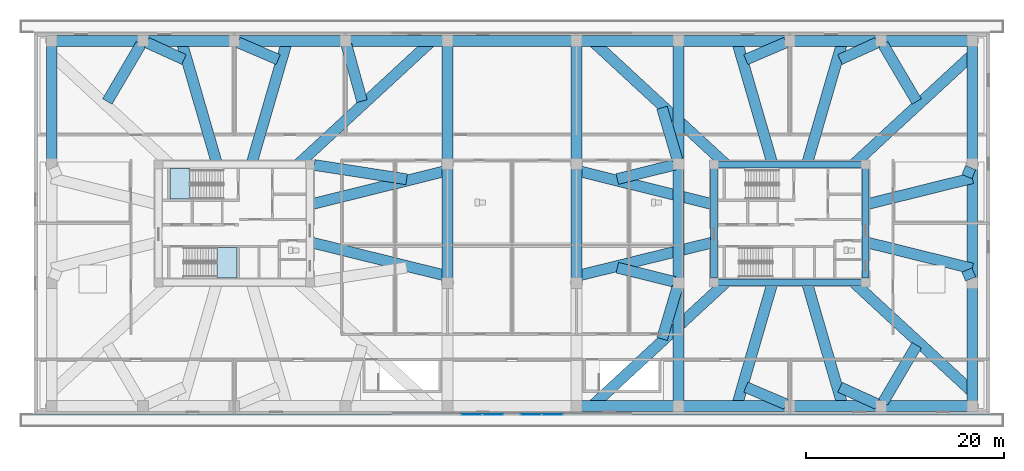
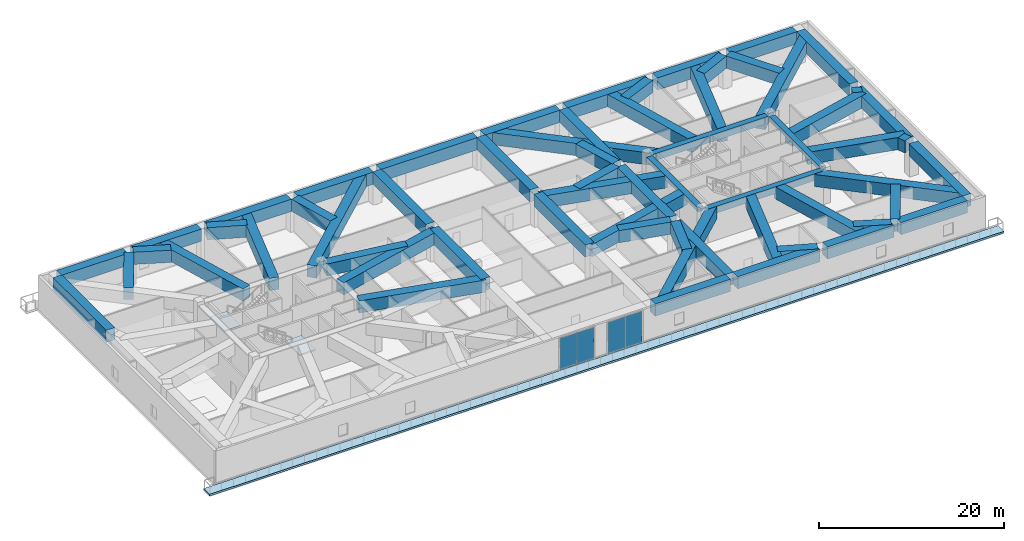
# One storey, part 3 of 21: 62 beams, 4 plates, 3 slabs, 4 elements without a shape of their own.
"""IFC4 building model written with IfcOpenShell, lengths in metres."""

from ifc_helpers import new_model, si_unit, direction, frame, origin, origin_2d, place, context, subcontext, project, spatial, polyline, rectangle, outline, extrude, source, transform, mapped, material, layer, layer_set, material_profile, profile_set, type_object, type_shapes, element, aggregate, save


model = new_model("IFC4")

# Units and contexts
model_context = context("Model", 3, precision=1e-05, world=origin(), true_north=direction((0.0, 1.0)))
body_context = subcontext(model_context, "Body", "Model", "MODEL_VIEW")
ifc_project = project(units=[si_unit("LENGTHUNIT", "METRE"), si_unit("AREAUNIT", "SQUARE_METRE"), si_unit("VOLUMEUNIT", "CUBIC_METRE"), si_unit("PLANEANGLEUNIT", "RADIAN"), si_unit("MASSUNIT", "GRAM", prefix="KILO")], contexts=[model_context])

# Site, building, storey
site_placement = place(None, origin())
site = spatial("IfcSite", under=ifc_project, at=site_placement, CompositionType="ELEMENT")
building_placement = place(site_placement, origin())
building = spatial("IfcBuilding", under=site, at=building_placement, Name="Norrkilde Senior Care Towers", CompositionType="ELEMENT")
storey_placement = place(building_placement, frame((0.0, 0.0, 16.800048828125)))
storey = spatial("IfcBuildingStorey", under=building, at=storey_placement, Name="L04", CompositionType="ELEMENT", Elevation=16.800048828125)

# Beams
ifc_material_1 = material(Name="Concrete C60/75", Category="concrete")
ifc_material_profile_1 = material_profile(ifc_material_1, rectangle(XDim=0.699951171875, YDim=0.89990234375, at=origin_2d()), Name="RC BM 700x900")
ifc_profile_set_1 = profile_set([ifc_material_profile_1], Name="Concrete C60/75")
beam_type_1 = type_object("IfcBeamType", Name="Core Coupling Girder 700x900", PredefinedType="USERDEFINED", material=ifc_profile_set_1)
shared_shape_1 = source(origin(), body_context, "Body", "SweptSolid", [
    extrude(rectangle(XDim=0.699951171875, YDim=0.89990234375, at=origin_2d()), origin(), (0.0, 0.0, 1.0), 14.43994140625),
])
type_shapes(beam_type_1, [shared_shape_1])
for number, where, z_axis, x_axis, name in (
    (1, (20.780029296875, 5.949951171875, 3.929931640625), (1.0, 0.0, 0.0), (0.0, 1.0, 0.0), "L04 Core E N Coupling Girder"),
    (2, (20.780029296875, -5.949951171875, 3.929931640625), (1.0, 0.0, 0.0), (0.0, 1.0, 0.0), "L04 Core E S Coupling Girder"),
):
    element("IfcBeam", number, at=place(storey_placement, frame(where, z_axis=z_axis, x_axis=x_axis)), inside=storey, type_object=beam_type_1, Name=name, ObjectType="GIRDER", PredefinedType="USERDEFINED", context=body_context, shape_type="MappedRepresentation", body=[
        mapped(shared_shape_1, transform((0.0, 0.0, 0.0), x_axis=(1.0, 0.0, 0.0), y_axis=(0.0, 1.0, 0.0), z_axis=(0.0, 0.0, 1.0), scale=1.0)),
    ])
ifc_material_profile_2 = material_profile(ifc_material_1, rectangle(XDim=0.699951171875, YDim=0.550048828125, at=origin_2d()), Name="RC BM 700x550")
ifc_profile_set_2 = profile_set([ifc_material_profile_2], Name="Concrete C60/75")
beam_type_2 = type_object("IfcBeamType", Name="Core Portal Coupling Beam 700x550", PredefinedType="USERDEFINED", material=ifc_profile_set_2)
shared_shape_2 = source(origin(), body_context, "Body", "SweptSolid", [
    extrude(rectangle(XDim=0.699951171875, YDim=0.550048828125, at=origin_2d()), origin(), (0.0, 0.0, 1.0), 11.0400390625),
])
type_shapes(beam_type_2, [shared_shape_2])
for number, where, z_axis, x_axis, name in (
    (3, (20.35009765625, -5.52001953125, 4.10498046875), (0.0, 1.0, 0.0), (-1.0, 0.0, 0.0), "L04 Core E W Coupling Girder"),
    (4, (35.64990234375, -5.52001953125, 4.10498046875), (0.0, 1.0, 0.0), (-1.0, 0.0, 0.0), "L04 Core E E Coupling Girder"),
):
    element("IfcBeam", number, at=place(storey_placement, frame(where, z_axis=z_axis, x_axis=x_axis)), inside=storey, type_object=beam_type_2, Name=name, ObjectType="GIRDER", PredefinedType="USERDEFINED", context=body_context, shape_type="MappedRepresentation", body=[
        mapped(shared_shape_2, transform((0.0, 0.0, 0.0), x_axis=(1.0, 0.0, 0.0), y_axis=(0.0, 1.0, 0.0), z_axis=(0.0, 0.0, 1.0), scale=1.0)),
    ])
ifc_material_profile_3 = material_profile(ifc_material_1, rectangle(XDim=1.10009765625, YDim=1.60009765625, at=origin_2d()), Name="RC TG 1100x1600")
ifc_profile_set_3 = profile_set([ifc_material_profile_3], Name="Concrete C60/75")
beam_type_3 = type_object("IfcBeamType", Name="Transfer Girder Podium 1100x1600", PredefinedType="USERDEFINED", material=ifc_profile_set_3)
shared_shape_3 = source(origin(), body_context, "Body", "SweptSolid", [
    extrude(rectangle(XDim=1.10009765625, YDim=1.60009765625, at=origin_2d()), origin(), (0.0, 0.0, 1.0), 8.300048828125),
])
for number, where, z_axis, x_axis, name in (
    (5, (28.449951171875, -18.39990234375, 3.579833984375), (1.0, 0.0, 0.0), (0.0, 1.0, 0.0), "L04 Podium Ring Transfer Girder 1.8"),
    (6, (37.64990234375, -18.39990234375, 3.579833984375), (1.0, 0.0, 0.0), (0.0, 1.0, 0.0), "L04 Podium Ring Transfer Girder 1.9"),
    (7, (-45.949951171875, 18.39990234375, 3.579833984375), (1.0, 0.0, 0.0), (0.0, 1.0, 0.0), "L04 Podium Ring Transfer Girder 2.1"),
    (8, (-36.75, 18.39990234375, 3.579833984375), (1.0, 0.0, 0.0), (0.0, 1.0, 0.0), "L04 Podium Ring Transfer Girder 2.2"),
    (9, (28.449951171875, 18.39990234375, 3.579833984375), (1.0, 0.0, 0.0), (0.0, 1.0, 0.0), "L04 Podium Ring Transfer Girder 2.8"),
    (10, (37.64990234375, 18.39990234375, 3.579833984375), (1.0, 0.0, 0.0), (0.0, 1.0, 0.0), "L04 Podium Ring Transfer Girder 2.9"),
):
    element("IfcBeam", number, at=place(storey_placement, frame(where, z_axis=z_axis, x_axis=x_axis)), inside=storey, type_object=beam_type_3, Name=name, ObjectType="GIRDER", PredefinedType="USERDEFINED", context=body_context, shape_type="MappedRepresentation", body=[
        mapped(shared_shape_3, transform((0.0, 0.0, 0.0), x_axis=(1.0, 0.0, 0.0), y_axis=(0.0, 1.0, 0.0), z_axis=(0.0, 0.0, 1.0), scale=1.0)),
    ])
shared_shape_4 = source(origin(), body_context, "Body", "SweptSolid", [
    extrude(rectangle(XDim=1.10009765625, YDim=1.60009765625, at=origin_2d()), origin(), (0.0, 0.0, 1.0), 10.300048828125),
])
for number, where, z_axis, x_axis, name in (
    (11, (17.25, -18.39990234375, 3.579833984375), (1.0, 0.0, 0.0), (0.0, 1.0, 0.0), "L04 Podium Ring Transfer Girder 1.7"),
    (12, (-27.550048828125, 18.39990234375, 3.579833984375), (1.0, 0.0, 0.0), (0.0, 1.0, 0.0), "L04 Podium Ring Transfer Girder 2.3"),
    (13, (17.25, 18.39990234375, 3.579833984375), (1.0, 0.0, 0.0), (0.0, 1.0, 0.0), "L04 Podium Ring Transfer Girder 2.7"),
):
    element("IfcBeam", number, at=place(storey_placement, frame(where, z_axis=z_axis, x_axis=x_axis)), inside=storey, type_object=beam_type_3, Name=name, ObjectType="GIRDER", PredefinedType="USERDEFINED", context=body_context, shape_type="MappedRepresentation", body=[
        mapped(shared_shape_4, transform((0.0, 0.0, 0.0), x_axis=(1.0, 0.0, 0.0), y_axis=(0.0, 1.0, 0.0), z_axis=(0.0, 0.0, 1.0), scale=1.0)),
    ])
shared_shape_5 = source(origin(), body_context, "Body", "SweptSolid", [
    extrude(rectangle(XDim=1.10009765625, YDim=1.60009765625, at=origin_2d()), origin(), (0.0, 0.0, 1.0), 9.400146484375),
])
for number, where, z_axis, x_axis, name in (
    (14, (6.949951171875, -18.39990234375, 3.579833984375), (1.0, 0.0, 0.0), (0.0, 1.0, 0.0), "L04 Podium Ring Transfer Girder 1.6"),
    (15, (-16.35009765625, 18.39990234375, 3.579833984375), (1.0, 0.0, 0.0), (0.0, 1.0, 0.0), "L04 Podium Ring Transfer Girder 2.4"),
    (16, (6.949951171875, 18.39990234375, 3.579833984375), (1.0, 0.0, 0.0), (0.0, 1.0, 0.0), "L04 Podium Ring Transfer Girder 2.6"),
):
    element("IfcBeam", number, at=place(storey_placement, frame(where, z_axis=z_axis, x_axis=x_axis)), inside=storey, type_object=beam_type_3, Name=name, ObjectType="GIRDER", PredefinedType="USERDEFINED", context=body_context, shape_type="MappedRepresentation", body=[
        mapped(shared_shape_5, transform((0.0, 0.0, 0.0), x_axis=(1.0, 0.0, 0.0), y_axis=(0.0, 1.0, 0.0), z_axis=(0.0, 0.0, 1.0), scale=1.0)),
    ])
shared_shape_6 = source(origin(), body_context, "Body", "SweptSolid", [
    extrude(rectangle(XDim=1.10009765625, YDim=1.60009765625, at=origin_2d()), origin(), (0.0, 0.0, 1.0), 12.10009765625),
])
beam_1_placement = place(storey_placement, frame((-6.050048828125, 18.39990234375, 3.579833984375), z_axis=(1.0, 0.0, 0.0), x_axis=(0.0, 1.0, 0.0)))
element("IfcBeam", 17, at=beam_1_placement, inside=storey, type_object=beam_type_3, Name="L04 Podium Ring Transfer Girder 2.5", ObjectType="GIRDER", PredefinedType="USERDEFINED", context=body_context, shape_type="MappedRepresentation", body=[
    mapped(shared_shape_6, transform((0.0, 0.0, 0.0), x_axis=(1.0, 0.0, 0.0), y_axis=(0.0, 1.0, 0.0), z_axis=(0.0, 0.0, 1.0), scale=1.0)),
])
shared_shape_7 = source(origin(), body_context, "Body", "SweptSolid", [
    extrude(rectangle(XDim=1.10009765625, YDim=1.60009765625, at=origin_2d()), origin(), (0.0, 0.0, 1.0), 11.5),
])
for number, where, z_axis, x_axis, name in (
    (18, (-46.39990234375, 6.449951171875, 3.579833984375), (0.0, 1.0, 0.0), (-1.0, 0.0, 0.0), "L04 Podium N-S Transfer Girder 1.3"),
    (19, (-6.5, 6.449951171875, 3.579833984375), (0.0, 1.0, 0.0), (-1.0, 0.0, 0.0), "L04 Podium N-S Transfer Girder 2.3"),
    (20, (6.5, 6.449951171875, 3.579833984375), (0.0, 1.0, 0.0), (-1.0, 0.0, 0.0), "L04 Podium N-S Transfer Girder 3.3"),
    (21, (16.800048828125, -17.949951171875, 3.579833984375), (0.0, 1.0, 0.0), (-1.0, 0.0, 0.0), "L04 Podium N-S Transfer Girder 4.1"),
    (22, (16.800048828125, 6.449951171875, 3.579833984375), (0.0, 1.0, 0.0), (-1.0, 0.0, 0.0), "L04 Podium N-S Transfer Girder 4.3"),
    (23, (46.39990234375, -17.949951171875, 3.579833984375), (0.0, 1.0, 0.0), (-1.0, 0.0, 0.0), "L04 Podium N-S Transfer Girder 5.1"),
    (24, (46.39990234375, 6.449951171875, 3.579833984375), (0.0, 1.0, 0.0), (-1.0, 0.0, 0.0), "L04 Podium N-S Transfer Girder 5.3"),
):
    element("IfcBeam", number, at=place(storey_placement, frame(where, z_axis=z_axis, x_axis=x_axis)), inside=storey, type_object=beam_type_3, Name=name, ObjectType="GIRDER", PredefinedType="USERDEFINED", context=body_context, shape_type="MappedRepresentation", body=[
        mapped(shared_shape_7, transform((0.0, 0.0, 0.0), x_axis=(1.0, 0.0, 0.0), y_axis=(0.0, 1.0, 0.0), z_axis=(0.0, 0.0, 1.0), scale=1.0)),
    ])
shared_shape_8 = source(origin(), body_context, "Body", "SweptSolid", [
    extrude(rectangle(XDim=1.10009765625, YDim=1.60009765625, at=origin_2d()), origin(), (0.0, 0.0, 1.0), 11.10009765625),
])
for number, where, z_axis, x_axis, name in (
    (25, (-6.5, -5.550048828125, 3.579833984375), (0.0, 1.0, 0.0), (-1.0, 0.0, 0.0), "L04 Podium N-S Transfer Girder 2.2"),
    (26, (6.5, -5.550048828125, 3.579833984375), (0.0, 1.0, 0.0), (-1.0, 0.0, 0.0), "L04 Podium N-S Transfer Girder 3.2"),
    (27, (16.800048828125, -5.550048828125, 3.579833984375), (0.0, 1.0, 0.0), (-1.0, 0.0, 0.0), "L04 Podium N-S Transfer Girder 4.2"),
    (28, (46.39990234375, -5.550048828125, 3.579833984375), (0.0, 1.0, 0.0), (-1.0, 0.0, 0.0), "L04 Podium N-S Transfer Girder 5.2"),
):
    element("IfcBeam", number, at=place(storey_placement, frame(where, z_axis=z_axis, x_axis=x_axis)), inside=storey, type_object=beam_type_3, Name=name, ObjectType="GIRDER", PredefinedType="USERDEFINED", context=body_context, shape_type="MappedRepresentation", body=[
        mapped(shared_shape_8, transform((0.0, 0.0, 0.0), x_axis=(1.0, 0.0, 0.0), y_axis=(0.0, 1.0, 0.0), z_axis=(0.0, 0.0, 1.0), scale=1.0)),
    ])
shared_shape_9 = source(origin(), body_context, "Body", "SweptSolid", [
    extrude(rectangle(XDim=1.10009765625, YDim=1.60009765625, at=origin_2d()), origin(), (0.0, 0.0, 1.0), 14.26806640625),
])
for number, where, z_axis, x_axis, name in (
    (29, (-20.35009765625, 1.893310546875, 3.579833984375), (0.970709520903, 0.240256167513, 0.0), (-0.240256167513, 0.970709520903, 0.0), "L04 Transfer Girder W-01"),
    (30, (-20.35009765625, -1.893310546875, 3.579833984375), (0.970709520903, -0.240256167513, 0.0), (0.240256167513, 0.970709520903, 0.0), "L04 Transfer Girder W-12"),
    (31, (20.35009765625, 1.893310546875, 3.579833984375), (-0.970709520903, 0.240256167513, 0.0), (-0.240256167513, -0.970709520903, 0.0), "L04 Transfer Girder E-06"),
    (32, (20.35009765625, -1.893310546875, 3.579833984375), (-0.970709520903, -0.240256167513, 0.0), (0.240256167513, -0.970709520903, 0.0), "L04 Transfer Girder E-07"),
):
    element("IfcBeam", number, at=place(storey_placement, frame(where, z_axis=z_axis, x_axis=x_axis)), inside=storey, type_object=beam_type_3, Name=name, ObjectType="GIRDER", PredefinedType="USERDEFINED", context=body_context, shape_type="MappedRepresentation", body=[
        mapped(shared_shape_9, transform((0.0, 0.0, 0.0), x_axis=(1.0, 0.0, 0.0), y_axis=(0.0, 1.0, 0.0), z_axis=(0.0, 0.0, 1.0), scale=1.0)),
    ])
shared_shape_10 = source(origin(), body_context, "Body", "SweptSolid", [
    extrude(rectangle(XDim=1.10009765625, YDim=1.60009765625, at=origin_2d()), origin(), (0.0, 0.0, 1.0), 9.42529296875),
])
beam_2_placement = place(storey_placement, frame((-10.62109375, 4.440673828125, 3.579833984375), z_axis=(-0.988181075283, 0.153291103631, 0.0), x_axis=(-0.153291103631, -0.988181075283, 0.0)))
element("IfcBeam", 33, at=beam_2_placement, inside=storey, type_object=beam_type_3, Name="L04 Transfer Diaphragm Tie W-01", ObjectType="GIRDER", PredefinedType="USERDEFINED", context=body_context, shape_type="MappedRepresentation", body=[
    mapped(shared_shape_10, transform((0.0, 0.0, 0.0), x_axis=(1.0, 0.0, 0.0), y_axis=(0.0, 1.0, 0.0), z_axis=(0.0, 0.0, 1.0), scale=1.0)),
])
shared_shape_11 = source(origin(), body_context, "Body", "SweptSolid", [
    extrude(rectangle(XDim=1.10009765625, YDim=1.60009765625, at=origin_2d()), origin(), (0.0, 0.0, 1.0), 18.348388671875),
])
for number, where, z_axis, x_axis, name in (
    (34, (-21.55859375, 5.949951171875, 3.579833984375), (0.734573335287, 0.678529303041, 0.0), (-0.678529303041, 0.734573335287, 0.0), "L04 Transfer Girder W-02"),
    (35, (21.55859375, 5.949951171875, 3.579833984375), (-0.734573335287, 0.678529303041, 0.0), (-0.678529303041, -0.734573335287, 0.0), "L04 Transfer Girder E-05"),
    (36, (21.55859375, -5.949951171875, 3.579833984375), (-0.734573335287, -0.678529303041, 0.0), (0.678529303041, -0.734573335287, 0.0), "L04 Transfer Girder E-08"),
):
    element("IfcBeam", number, at=place(storey_placement, frame(where, z_axis=z_axis, x_axis=x_axis)), inside=storey, type_object=beam_type_3, Name=name, ObjectType="GIRDER", PredefinedType="USERDEFINED", context=body_context, shape_type="MappedRepresentation", body=[
        mapped(shared_shape_11, transform((0.0, 0.0, 0.0), x_axis=(1.0, 0.0, 0.0), y_axis=(0.0, 1.0, 0.0), z_axis=(0.0, 0.0, 1.0), scale=1.0)),
    ])
shared_shape_12 = source(origin(), body_context, "Body", "SweptSolid", [
    extrude(rectangle(XDim=1.10009765625, YDim=1.60009765625, at=origin_2d()), origin(), (0.0, 0.0, 1.0), 5.8857421875),
])
beam_3_placement = place(storey_placement, frame((-15.117919921875, 12.32275390625, 3.579833984375), z_axis=(-0.266762316847, 0.963762349498, 0.0), x_axis=(-0.963762349498, -0.266762316847, 0.0)))
element("IfcBeam", 37, at=beam_3_placement, inside=storey, type_object=beam_type_3, Name="L04 Transfer Diaphragm Tie W-02", ObjectType="GIRDER", PredefinedType="USERDEFINED", context=body_context, shape_type="MappedRepresentation", body=[
    mapped(shared_shape_12, transform((0.0, 0.0, 0.0), x_axis=(1.0, 0.0, 0.0), y_axis=(0.0, 1.0, 0.0), z_axis=(0.0, 0.0, 1.0), scale=1.0)),
])
shared_shape_13 = source(origin(), body_context, "Body", "SweptSolid", [
    extrude(rectangle(XDim=1.10009765625, YDim=1.60009765625, at=origin_2d()), origin(), (0.0, 0.0, 1.0), 12.963134765625),
])
for number, where, z_axis, x_axis, name in (
    (38, (-26.27392578125, 5.949951171875, 3.579833984375), (0.278584384581, 0.960411755794, 0.0), (-0.960411755794, 0.278584384581, 0.0), "L04 Transfer Girder W-03"),
    (39, (-29.72607421875, 5.949951171875, 3.579833984375), (-0.278584384581, 0.960411755794, 0.0), (-0.960411755794, -0.278584384581, 0.0), "L04 Transfer Girder W-04"),
    (40, (29.72607421875, 5.949951171875, 3.579833984375), (0.278584384581, 0.960411755794, 0.0), (-0.960411755794, 0.278584384581, 0.0), "L04 Transfer Girder E-03"),
    (41, (26.27392578125, 5.949951171875, 3.579833984375), (-0.278584384581, 0.960411755794, 0.0), (-0.960411755794, -0.278584384581, 0.0), "L04 Transfer Girder E-04"),
    (42, (26.27392578125, -5.949951171875, 3.579833984375), (-0.278584384581, -0.960411755794, 0.0), (0.960411755794, -0.278584384581, 0.0), "L04 Transfer Girder E-09"),
    (43, (29.72607421875, -5.949951171875, 3.579833984375), (0.278584384581, -0.960411755794, 0.0), (0.960411755794, 0.278584384581, 0.0), "L04 Transfer Girder E-10"),
):
    element("IfcBeam", number, at=place(storey_placement, frame(where, z_axis=z_axis, x_axis=x_axis)), inside=storey, type_object=beam_type_3, Name=name, ObjectType="GIRDER", PredefinedType="USERDEFINED", context=body_context, shape_type="MappedRepresentation", body=[
        mapped(shared_shape_13, transform((0.0, 0.0, 0.0), x_axis=(1.0, 0.0, 0.0), y_axis=(0.0, 1.0, 0.0), z_axis=(0.0, 0.0, 1.0), scale=1.0)),
    ])
shared_shape_14 = source(origin(), body_context, "Body", "SweptSolid", [
    extrude(rectangle(XDim=1.10009765625, YDim=1.60009765625, at=origin_2d()), origin(), (0.0, 0.0, 1.0), 4.39404296875),
])
for number, where, z_axis, x_axis, name in (
    (44, (-23.572509765625, 16.509765625, 3.579833984375), (-0.919690170963, 0.392644864266, 0.0), (-0.392644864266, -0.919690170963, 0.0), "L04 Transfer Diaphragm Tie W-03"),
    (45, (23.572509765625, 16.509765625, 3.579833984375), (0.919690170963, 0.392644864266, 0.0), (-0.392644864266, 0.919690170963, 0.0), "L04 Transfer Diaphragm Tie E-04"),
    (46, (23.572509765625, -16.509765625, 3.579833984375), (0.919690170963, -0.392644864266, 0.0), (0.392644864266, 0.919690170963, 0.0), "L04 Transfer Diaphragm Tie E-09"),
):
    element("IfcBeam", number, at=place(storey_placement, frame(where, z_axis=z_axis, x_axis=x_axis)), inside=storey, type_object=beam_type_3, Name=name, ObjectType="GIRDER", PredefinedType="USERDEFINED", context=body_context, shape_type="MappedRepresentation", body=[
        mapped(shared_shape_14, transform((0.0, 0.0, 0.0), x_axis=(1.0, 0.0, 0.0), y_axis=(0.0, 1.0, 0.0), z_axis=(0.0, 0.0, 1.0), scale=1.0)),
    ])
shared_shape_15 = source(origin(), body_context, "Body", "SweptSolid", [
    extrude(rectangle(XDim=1.10009765625, YDim=1.60009765625, at=origin_2d()), origin(), (0.0, 0.0, 1.0), 4.120849609375),
])
for number, where, z_axis, x_axis, name in (
    (47, (-33.06787109375, 16.517578125, 3.579833984375), (-0.910027330566, 0.41454825729, 0.0), (-0.41454825729, -0.910027330566, 0.0), "L04 Transfer Diaphragm Tie W-04"),
    (48, (33.06787109375, 16.517578125, 3.579833984375), (0.910027330566, 0.41454825729, 0.0), (-0.41454825729, 0.910027330566, 0.0), "L04 Transfer Diaphragm Tie E-03"),
    (49, (33.06787109375, -16.517578125, 3.579833984375), (0.910027330566, -0.41454825729, 0.0), (0.41454825729, 0.910027330566, 0.0), "L04 Transfer Diaphragm Tie E-10"),
):
    element("IfcBeam", number, at=place(storey_placement, frame(where, z_axis=z_axis, x_axis=x_axis)), inside=storey, type_object=beam_type_3, Name=name, ObjectType="GIRDER", PredefinedType="USERDEFINED", context=body_context, shape_type="MappedRepresentation", body=[
        mapped(shared_shape_15, transform((0.0, 0.0, 0.0), x_axis=(1.0, 0.0, 0.0), y_axis=(0.0, 1.0, 0.0), z_axis=(0.0, 0.0, 1.0), scale=1.0)),
    ])
shared_shape_16 = source(origin(), body_context, "Body", "SweptSolid", [
    extrude(rectangle(XDim=1.10009765625, YDim=1.60009765625, at=origin_2d()), origin(), (0.0, 0.0, 1.0), 16.279541015625),
])
for number, where, z_axis, x_axis, name in (
    (50, (34.44140625, 5.949951171875, 3.579833984375), (0.734572844474, 0.678529834393, 0.0), (-0.678529834393, 0.734572844474, 0.0), "L04 Transfer Girder E-02"),
    (51, (34.44140625, -5.949951171875, 3.579833984375), (0.734572844474, -0.678529834393, 0.0), (0.678529834393, 0.734572844474, 0.0), "L04 Transfer Girder E-11"),
):
    element("IfcBeam", number, at=place(storey_placement, frame(where, z_axis=z_axis, x_axis=x_axis)), inside=storey, type_object=beam_type_3, Name=name, ObjectType="GIRDER", PredefinedType="USERDEFINED", context=body_context, shape_type="MappedRepresentation", body=[
        mapped(shared_shape_16, transform((0.0, 0.0, 0.0), x_axis=(1.0, 0.0, 0.0), y_axis=(0.0, 1.0, 0.0), z_axis=(0.0, 0.0, 1.0), scale=1.0)),
    ])
shared_shape_17 = source(origin(), body_context, "Body", "SweptSolid", [
    extrude(rectangle(XDim=1.10009765625, YDim=1.60009765625, at=origin_2d()), origin(), (0.0, 0.0, 1.0), 6.673095703125),
])
for number, where, z_axis, x_axis, name in (
    (52, (-40.7978515625, 12.287109375, 3.579833984375), (0.507224766721, 0.861813805891, 0.0), (-0.861813805891, 0.507224766721, 0.0), "L04 Transfer Diaphragm Tie W-05"),
    (53, (40.7978515625, 12.287109375, 3.579833984375), (-0.507224766721, 0.861813805891, 0.0), (-0.861813805891, -0.507224766721, 0.0), "L04 Transfer Diaphragm Tie E-02"),
    (54, (40.7978515625, -12.287109375, 3.579833984375), (-0.507224766721, -0.861813805891, 0.0), (0.861813805891, -0.507224766721, 0.0), "L04 Transfer Diaphragm Tie E-11"),
):
    element("IfcBeam", number, at=place(storey_placement, frame(where, z_axis=z_axis, x_axis=x_axis)), inside=storey, type_object=beam_type_3, Name=name, ObjectType="GIRDER", PredefinedType="USERDEFINED", context=body_context, shape_type="MappedRepresentation", body=[
        mapped(shared_shape_17, transform((0.0, 0.0, 0.0), x_axis=(1.0, 0.0, 0.0), y_axis=(0.0, 1.0, 0.0), z_axis=(0.0, 0.0, 1.0), scale=1.0)),
    ])
shared_shape_18 = source(origin(), body_context, "Body", "SweptSolid", [
    extrude(rectangle(XDim=1.10009765625, YDim=1.60009765625, at=origin_2d()), origin(), (0.0, 0.0, 1.0), 11.074462890625),
])
for number, where, z_axis, x_axis, name in (
    (55, (35.64990234375, 1.893310546875, 3.579833984375), (0.970705264967, 0.240273362165, 0.0), (-0.240273362165, 0.970705264967, 0.0), "L04 Transfer Girder E-01"),
    (56, (35.64990234375, -1.893310546875, 3.579833984375), (0.970705264967, -0.240273362165, 0.0), (0.240273362165, 0.970705264967, 0.0), "L04 Transfer Girder E-12"),
):
    element("IfcBeam", number, at=place(storey_placement, frame(where, z_axis=z_axis, x_axis=x_axis)), inside=storey, type_object=beam_type_3, Name=name, ObjectType="GIRDER", PredefinedType="USERDEFINED", context=body_context, shape_type="MappedRepresentation", body=[
        mapped(shared_shape_18, transform((0.0, 0.0, 0.0), x_axis=(1.0, 0.0, 0.0), y_axis=(0.0, 1.0, 0.0), z_axis=(0.0, 0.0, 1.0), scale=1.0)),
    ])
shared_shape_19 = source(origin(), body_context, "Body", "SweptSolid", [
    extrude(rectangle(XDim=1.10009765625, YDim=1.60009765625, at=origin_2d()), origin(), (0.0, 0.0, 1.0), 0.978759765625),
])
for number, where, z_axis, x_axis, name in (
    (57, (45.85986328125, 4.709716796875, 3.579833984375), (0.386138088126, 0.922440988301, 0.0), (-0.922440988301, 0.386138088126, 0.0), "L04 Transfer Diaphragm Tie E-01"),
    (58, (45.85986328125, -4.709716796875, 3.579833984375), (0.386138088126, -0.922440988301, 0.0), (0.922440988301, 0.386138088126, 0.0), "L04 Transfer Diaphragm Tie E-12"),
):
    element("IfcBeam", number, at=place(storey_placement, frame(where, z_axis=z_axis, x_axis=x_axis)), inside=storey, type_object=beam_type_3, Name=name, ObjectType="GIRDER", PredefinedType="USERDEFINED", context=body_context, shape_type="MappedRepresentation", body=[
        mapped(shared_shape_19, transform((0.0, 0.0, 0.0), x_axis=(1.0, 0.0, 0.0), y_axis=(0.0, 1.0, 0.0), z_axis=(0.0, 0.0, 1.0), scale=1.0)),
    ])
shared_shape_20 = source(origin(), body_context, "Body", "SweptSolid", [
    extrude(rectangle(XDim=1.10009765625, YDim=1.60009765625, at=origin_2d()), origin(), (0.0, 0.0, 1.0), 5.473388671875),
])
for number, where, z_axis, x_axis, name in (
    (59, (15.1240234375, 11.64990234375, 3.579833984375), (0.284404208451, -0.958704462395, 0.0), (0.958704462395, 0.284404208451, 0.0), "L04 Transfer Diaphragm Tie E-05"),
    (60, (15.1240234375, -11.64990234375, 3.579833984375), (0.284404208451, 0.958704462395, 0.0), (-0.958704462395, 0.284404208451, 0.0), "L04 Transfer Diaphragm Tie E-08"),
):
    element("IfcBeam", number, at=place(storey_placement, frame(where, z_axis=z_axis, x_axis=x_axis)), inside=storey, type_object=beam_type_3, Name=name, ObjectType="GIRDER", PredefinedType="USERDEFINED", context=body_context, shape_type="MappedRepresentation", body=[
        mapped(shared_shape_20, transform((0.0, 0.0, 0.0), x_axis=(1.0, 0.0, 0.0), y_axis=(0.0, 1.0, 0.0), z_axis=(0.0, 0.0, 1.0), scale=1.0)),
    ])
shared_shape_21 = source(origin(), body_context, "Body", "SweptSolid", [
    extrude(rectangle(XDim=1.10009765625, YDim=1.60009765625, at=origin_2d()), origin(), (0.0, 0.0, 1.0), 5.951171875),
])
type_shapes(beam_type_3, [shared_shape_3, shared_shape_4, shared_shape_5, shared_shape_6, shared_shape_7, shared_shape_8, shared_shape_9, shared_shape_10, shared_shape_11, shared_shape_12, shared_shape_13, shared_shape_14, shared_shape_15, shared_shape_16, shared_shape_17, shared_shape_18, shared_shape_19, shared_shape_20, shared_shape_21])
for number, where, z_axis, x_axis, name in (
    (61, (10.614990234375, 4.470947265625, 3.579833984375), (0.970776221641, 0.239986515238, 0.0), (-0.239986515238, 0.970776221641, 0.0), "L04 Transfer Diaphragm Tie E-06"),
    (62, (10.614990234375, -4.470947265625, 3.579833984375), (0.970776221641, -0.239986515238, 0.0), (0.239986515238, 0.970776221641, 0.0), "L04 Transfer Diaphragm Tie E-07"),
):
    element("IfcBeam", number, at=place(storey_placement, frame(where, z_axis=z_axis, x_axis=x_axis)), inside=storey, type_object=beam_type_3, Name=name, ObjectType="GIRDER", PredefinedType="USERDEFINED", context=body_context, shape_type="MappedRepresentation", body=[
        mapped(shared_shape_21, transform((0.0, 0.0, 0.0), x_axis=(1.0, 0.0, 0.0), y_axis=(0.0, 1.0, 0.0), z_axis=(0.0, 0.0, 1.0), scale=1.0)),
    ])

# Slab
ifc_material_2 = material(Name="Concrete C45/55", Category="concrete")
ifc_layer_1 = layer(ifc_material_2, 0.22998046875)
ifc_layer_set_1 = layer_set([ifc_layer_1], Name="Concrete C45/55")
slab_type_1 = type_object("IfcSlabType", Name="Cascading Garden Terrace Slab 230", PredefinedType="FLOOR", material=ifc_layer_set_1)
slab_1_placement = place(storey_placement, frame((0.0, 0.0, -0.22998046875)))
element("IfcSlab", 63, at=slab_1_placement, inside=storey, type_object=slab_type_1, Name="L04 S Cascading Rehabilitation Garden Terrace", PredefinedType="FLOOR", context=body_context, shape_type="SweptSolid", body=[
    extrude(outline(polyline([(-49.60009765625, -20.5), (49.60009765625, -20.5), (49.60009765625, -19.205078125), (-49.60009765625, -19.205078125), (-49.60009765625, -20.5)])), origin(), (0.0, 0.0, 1.0), 0.22998046875),
])

# Stair, slab
stair_type = type_object("IfcStairType", Name="Core Protected Dogleg Stair Transfer 4800", PredefinedType="HALF_TURN_STAIR", material=ifc_material_2)
stair_1_placement = place(storey_placement, origin())
stair_1 = element("IfcStair", 64, at=stair_1_placement, inside=storey, type_object=stair_type, Name="L04 Protected Core Stair W1", PredefinedType="HALF_TURN_STAIR")
ifc_layer_2 = layer(ifc_material_2, 0.199951171875)
ifc_layer_set_2 = layer_set([ifc_layer_2], Name="Concrete C45/55")
slab_type_2 = type_object("IfcSlabType", Name="Stair Landing Slab 200", PredefinedType="LANDING", material=ifc_layer_set_2)
slab_2_placement = place(storey_placement, frame((0.0, 0.0, 2.199951171875)))
slab_2 = element("IfcSlab", 65, at=slab_2_placement, type_object=slab_type_2, Name="ST-W1 landing 1", PredefinedType="LANDING", context=body_context, shape_type="SweptSolid", body=[
    extrude(outline(polyline([(-32.4599609375, 5.52490234375), (-34.5, 5.52490234375), (-34.5, 2.449951171875), (-32.4599609375, 2.449951171875), (-32.4599609375, 5.52490234375)])), origin(), (0.0, 0.0, 1.0), 0.199951171875),
])
aggregate(stair_1, [slab_2])

stair_2_placement = place(storey_placement, origin())
stair_2 = element("IfcStair", 66, at=stair_2_placement, inside=storey, type_object=stair_type, Name="L04 Protected Core Stair W2", PredefinedType="HALF_TURN_STAIR")
slab_3_placement = place(storey_placement, frame((0.0, 0.0, 2.199951171875)))
slab_3 = element("IfcSlab", 67, at=slab_3_placement, type_object=slab_type_2, Name="ST-W2 landing 1", PredefinedType="LANDING", context=body_context, shape_type="SweptSolid", body=[
    extrude(outline(polyline([(-29.739990234375, -5.52490234375), (-27.699951171875, -5.52490234375), (-27.699951171875, -2.449951171875), (-29.739990234375, -2.449951171875), (-29.739990234375, -5.52490234375)])), origin(), (0.0, 0.0, 1.0), 0.199951171875),
])
aggregate(stair_2, [slab_3])

# Curtain wall, plates
ifc_material_3 = material(Name="Triple Low-E Insulated Glazing", Category="glass")
ifc_layer_3 = layer(ifc_material_3, 0.219970703125)
ifc_layer_set_3 = layer_set([ifc_layer_3], Name="Triple Low-E Insulated Glazing")
curtain_wall_type = type_object("IfcCurtainWallType", Name="CW1 Podium Clinic Terracotta Curtain Wall", PredefinedType="NOTDEFINED", material=ifc_layer_set_3)
curtain_wall_1_placement = place(storey_placement, origin())
curtain_wall_1 = element("IfcCurtainWall", 68, at=curtain_wall_1_placement, inside=storey, type_object=curtain_wall_type, Name="L04 Podium Portal Feature Curtain Wall 1", PredefinedType="NOTDEFINED")
ifc_layer_4 = layer(ifc_material_3, 0.035888671875)
ifc_layer_set_4 = layer_set([ifc_layer_4], Name="Triple Low-E Insulated Glazing")
plate_type = type_object("IfcPlateType", Name="Triple Low-E Vision Curtain Panel 36", PredefinedType="CURTAIN_PANEL", material=ifc_layer_set_4)
shared_shape_22 = source(origin(), body_context, "Body", "SweptSolid", [
    extrude(rectangle(XDim=2.094970703125, YDim=0.035888671875, at=origin_2d()), origin(), (0.0, 0.0, 1.0), 4.25),
])
type_shapes(plate_type, [shared_shape_22])
plate_1_placement = place(storey_placement, frame((-1.91748046875, -19.260009765625, 0.06494140625), z_axis=(0.0, 0.0, 1.0), x_axis=(-1.0, 0.0, 0.0)))
plate_1 = element("IfcPlate", 69, at=plate_1_placement, type_object=plate_type, Name="CW-1 panel 1.1", PredefinedType="CURTAIN_PANEL", context=body_context, shape_type="MappedRepresentation", body=[
    mapped(shared_shape_22, transform((0.0, 0.0, 0.0), x_axis=(1.0, 0.0, 0.0), y_axis=(0.0, 1.0, 0.0), z_axis=(0.0, 0.0, 1.0), scale=1.0)),
])
plate_2_placement = place(storey_placement, frame((-4.08251953125, -19.260009765625, 0.06494140625), z_axis=(0.0, 0.0, 1.0), x_axis=(-1.0, 0.0, 0.0)))
plate_2 = element("IfcPlate", 70, at=plate_2_placement, type_object=plate_type, Name="CW-1 panel 2.1", PredefinedType="CURTAIN_PANEL", context=body_context, shape_type="MappedRepresentation", body=[
    mapped(shared_shape_22, transform((0.0, 0.0, 0.0), x_axis=(1.0, 0.0, 0.0), y_axis=(0.0, 1.0, 0.0), z_axis=(0.0, 0.0, 1.0), scale=1.0)),
])
aggregate(curtain_wall_1, [plate_1, plate_2])

curtain_wall_2_placement = place(storey_placement, origin())
curtain_wall_2 = element("IfcCurtainWall", 71, at=curtain_wall_2_placement, inside=storey, type_object=curtain_wall_type, Name="L04 Podium Portal Feature Curtain Wall 2", PredefinedType="NOTDEFINED")
plate_3_placement = place(storey_placement, frame((4.08251953125, -19.260009765625, 0.06494140625), z_axis=(0.0, 0.0, 1.0), x_axis=(-1.0, 0.0, 0.0)))
plate_3 = element("IfcPlate", 72, at=plate_3_placement, type_object=plate_type, Name="CW-1 panel 1.1", PredefinedType="CURTAIN_PANEL", context=body_context, shape_type="MappedRepresentation", body=[
    mapped(shared_shape_22, transform((0.0, 0.0, 0.0), x_axis=(1.0, 0.0, 0.0), y_axis=(0.0, 1.0, 0.0), z_axis=(0.0, 0.0, 1.0), scale=1.0)),
])
plate_4_placement = place(storey_placement, frame((1.91748046875, -19.260009765625, 0.06494140625), z_axis=(0.0, 0.0, 1.0), x_axis=(-1.0, 0.0, 0.0)))
plate_4 = element("IfcPlate", 73, at=plate_4_placement, type_object=plate_type, Name="CW-1 panel 2.1", PredefinedType="CURTAIN_PANEL", context=body_context, shape_type="MappedRepresentation", body=[
    mapped(shared_shape_22, transform((0.0, 0.0, 0.0), x_axis=(1.0, 0.0, 0.0), y_axis=(0.0, 1.0, 0.0), z_axis=(0.0, 0.0, 1.0), scale=1.0)),
])
aggregate(curtain_wall_2, [plate_3, plate_4])

save(model, "model.ifc")
